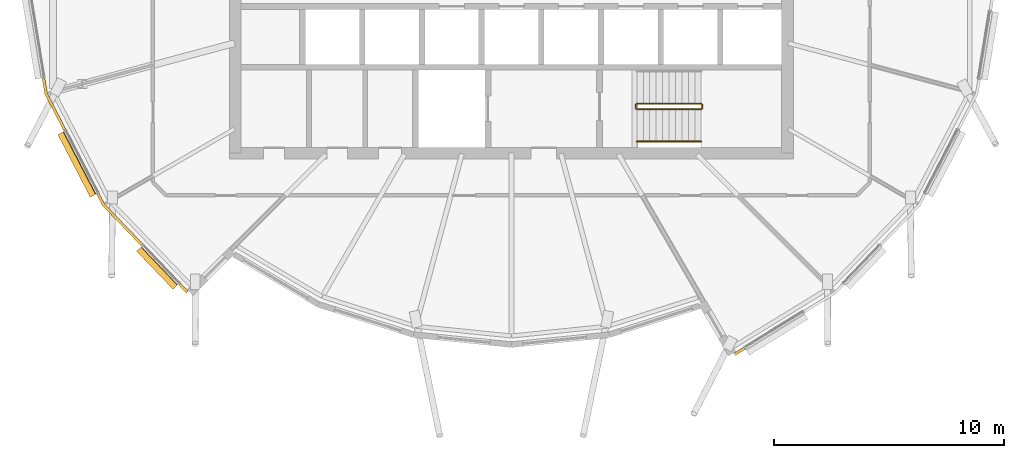
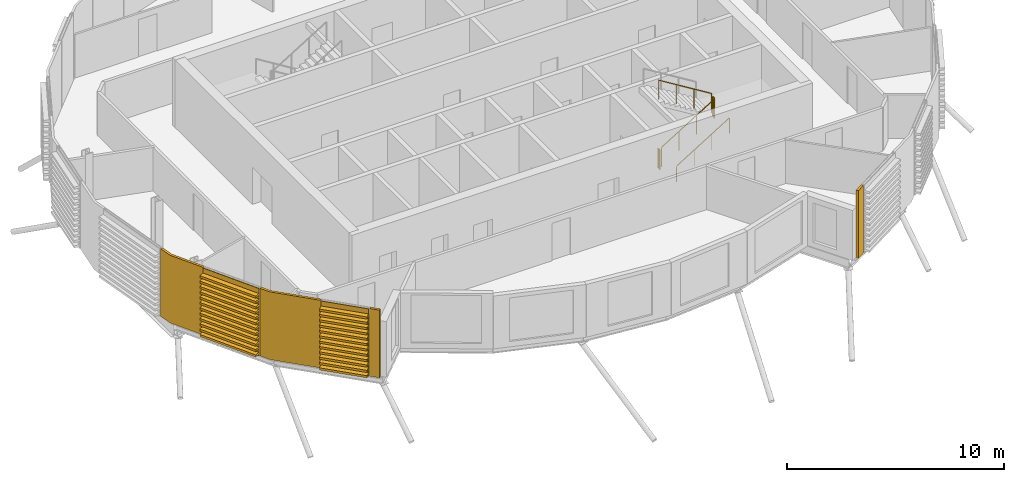
# One storey, part 33 of 38: 6 coverings, 5 railings.
"""IFC4 building model written with IfcOpenShell, lengths in metres."""

from ifc_helpers import new_model, si_unit, direction, frame, origin, origin_2d, place, context, subcontext, project, spatial, polyline, circle, outline, extrude, material, layer, layer_set, material_profile, profile_set, type_object, element, save


model = new_model("IFC4")

# Units and contexts
model_context = context("Model", 3, precision=1e-05, world=origin(), true_north=direction((0.0, 1.0)))
body_context = subcontext(model_context, "Body", "Model", "MODEL_VIEW")
ifc_project = project(units=[si_unit("LENGTHUNIT", "METRE"), si_unit("AREAUNIT", "SQUARE_METRE"), si_unit("VOLUMEUNIT", "CUBIC_METRE"), si_unit("PLANEANGLEUNIT", "RADIAN"), si_unit("MASSUNIT", "GRAM", prefix="KILO")], contexts=[model_context])

# Site, building, storey
site_placement = place(None, origin())
site = spatial("IfcSite", under=ifc_project, at=site_placement, CompositionType="ELEMENT")
building_placement = place(site_placement, origin())
building = spatial("IfcBuilding", under=site, at=building_placement, Name="Rimbun Link Towers", CompositionType="ELEMENT")
storey_placement = place(building_placement, frame((0.0, 0.0, 218.10009765625)))
storey = spatial("IfcBuildingStorey", under=building, at=storey_placement, Name="L53", CompositionType="ELEMENT", Elevation=218.10009765625)

# Coverings
ifc_material_1 = material(Name="Terracotta", Category="masonry")
ifc_layer = layer(ifc_material_1, 0.1201171875)
ifc_layer_set = layer_set([ifc_layer], Name="LINK PIER terracotta cladding 120")
covering_type_1 = type_object("IfcCoveringType", Name="LINK PIER terracotta cladding 120", PredefinedType="CLADDING", material=ifc_layer_set)
covering_1_placement = place(storey_placement, origin())
element("IfcCovering", 1, at=covering_1_placement, inside=storey, type_object=covering_type_1, Name="LINK PIER cladding", PredefinedType="CLADDING", context=body_context, shape_type="SweptSolid", body=[
    extrude(outline(polyline([(-51.10791015625, -6.976806640625), (-51.92138671875, -5.40478515625), (-52.030029296875, -4.743896484375), (-52.1484375, -4.76318359375), (-52.03662109375, -5.443115234375), (-51.214599609375, -7.031982421875), (-51.10791015625, -6.976806640625)])), origin(), (0.0, 0.0, 1.0), 3.7998046875),
])
covering_2_placement = place(storey_placement, origin())
element("IfcCovering", 2, at=covering_2_placement, inside=storey, type_object=covering_type_1, Name="LINK PIER cladding", PredefinedType="CLADDING", context=body_context, shape_type="SweptSolid", body=[
    extrude(outline(polyline([(-45.797119140625, -14.004638671875), (-46.13623046875, -13.651123046875), (-46.222900390625, -13.734130859375), (-45.8837890625, -14.087890625), (-45.797119140625, -14.004638671875)])), origin(), (0.0, 0.0, 1.0), 3.7998046875),
])
covering_3_placement = place(storey_placement, origin())
element("IfcCovering", 3, at=covering_3_placement, inside=storey, type_object=covering_type_1, Name="LINK PIER cladding", PredefinedType="CLADDING", context=body_context, shape_type="SweptSolid", body=[
    extrude(outline(polyline([(-47.760009765625, -11.957275390625), (-49.434814453125, -10.21044921875), (-49.673828125, -9.74853515625), (-49.780517578125, -9.8037109375), (-49.533447265625, -10.281005859375), (-47.8466796875, -12.040283203125), (-47.760009765625, -11.957275390625)])), origin(), (0.0, 0.0, 1.0), 3.7998046875),
])
covering_4_placement = place(storey_placement, origin())
element("IfcCovering", 4, at=covering_4_placement, inside=storey, type_object=covering_type_1, Name="LINK PIER cladding", PredefinedType="CLADDING", context=body_context, shape_type="SweptSolid", body=[
    extrude(outline(polyline([(-21.6572265625, -16.441650390625), (-22.07470703125, -16.697998046875), (-22.011962890625, -16.80029296875), (-21.594482421875, -16.5439453125), (-21.6572265625, -16.441650390625)])), origin(), (0.0, 0.0, 1.0), 3.7998046875),
])

# Railings
ifc_material_2 = material(Name="Stainless steel grade 316", Category="steel")
railing_type_1 = type_object("IfcRailingType", Name="Stair guard", PredefinedType="GUARDRAIL", material=ifc_material_2)
railing_1_placement = place(storey_placement, frame((-26.300048828125, -6.10009765625, 0.172607421875)))
element("IfcRailing", 5, at=railing_1_placement, inside=storey, type_object=railing_type_1, Name="L53 ST2 stair guard 1", PredefinedType="GUARDRAIL", context=body_context, shape_type="SweptSolid", body=[
    extrude(circle(Radius=0.02392578125, at=origin_2d()), frame((0.0, 0.0, 1.076171875), z_axis=(0.851089632645, 0.0, 0.525020415988), x_axis=(0.0, 1.0, 0.0)), (0.0, 0.0, 1.0), 3.2900390625),
    extrude(circle(Radius=0.02099609375, at=origin_2d()), origin(), (0.0, 0.0, 1.0), 1.052001953125),
    extrude(circle(Radius=0.02099609375, at=origin_2d()), frame((0.933349609375, 0.0, 0.57568359375)), (0.0, 0.0, 1.0), 1.052001953125),
    extrude(circle(Radius=0.02099609375, at=origin_2d()), frame((1.86669921875, 0.0, 1.151611328125)), (0.0, 0.0, 1.0), 1.052001953125),
    extrude(circle(Radius=0.02099609375, at=origin_2d()), frame((2.800048828125, 0.0, 1.727294921875)), (0.0, 0.0, 1.0), 1.052001953125),
])
railing_2_placement = place(storey_placement, frame((-23.449951171875, -6.050048828125, 1.89990234375)))
element("IfcRailing", 6, at=railing_2_placement, inside=storey, type_object=railing_type_1, Name="L53 ST2 stair guard 2", PredefinedType="GUARDRAIL", context=body_context, shape_type="SweptSolid", body=[
    extrude(circle(Radius=0.02392578125, at=origin_2d()), frame((0.0, 0.0, 1.076171875), z_axis=(0.0, 1.0, 0.0), x_axis=(-1.0, 0.0, 0.0)), (0.0, 0.0, 1.0), 0.150146484375),
    extrude(circle(Radius=0.02099609375, at=origin_2d()), origin(), (0.0, 0.0, 1.0), 1.052001953125),
    extrude(circle(Radius=0.02099609375, at=origin_2d()), frame((0.0, 0.150146484375, 0.0)), (0.0, 0.0, 1.0), 1.052001953125),
])
railing_3_placement = place(storey_placement, frame((-23.5, -5.85009765625, 2.072509765625)))
element("IfcRailing", 7, at=railing_3_placement, inside=storey, type_object=railing_type_1, Name="L53 ST2 stair guard 3", PredefinedType="GUARDRAIL", context=body_context, shape_type="SweptSolid", body=[
    extrude(circle(Radius=0.02392578125, at=origin_2d()), frame((0.0, 0.0, 1.076171875), z_axis=(-0.851089632645, 0.0, 0.525020415988), x_axis=(0.0, -1.0, 0.0)), (0.0, 0.0, 1.0), 3.2900390625),
    extrude(circle(Radius=0.02099609375, at=origin_2d()), origin(), (0.0, 0.0, 1.0), 1.052001953125),
    extrude(circle(Radius=0.02099609375, at=origin_2d()), frame((-0.933349609375, 0.0, 0.57568359375)), (0.0, 0.0, 1.0), 1.052001953125),
    extrude(circle(Radius=0.02099609375, at=origin_2d()), frame((-1.86669921875, 0.0, 1.151611328125)), (0.0, 0.0, 1.0), 1.052001953125),
    extrude(circle(Radius=0.02099609375, at=origin_2d()), frame((-2.800048828125, 0.0, 1.727294921875)), (0.0, 0.0, 1.0), 1.052001953125),
])
railing_4_placement = place(storey_placement, frame((-26.35009765625, -6.050048828125, 0.0)))
element("IfcRailing", 8, at=railing_4_placement, inside=storey, type_object=railing_type_1, Name="L53 ST2 stair guard 4", PredefinedType="GUARDRAIL", context=body_context, shape_type="SweptSolid", body=[
    extrude(circle(Radius=0.02392578125, at=origin_2d()), frame((0.0, 0.0, 1.076171875), z_axis=(0.0, 1.0, 0.0), x_axis=(-1.0, 0.0, 0.0)), (0.0, 0.0, 1.0), 0.150146484375),
    extrude(circle(Radius=0.02099609375, at=origin_2d()), origin(), (0.0, 0.0, 1.0), 1.052001953125),
    extrude(circle(Radius=0.02099609375, at=origin_2d()), frame((0.0, 0.150146484375, 0.0)), (0.0, 0.0, 1.0), 1.052001953125),
])
ifc_material_3 = material(Name="Stainless steel grade 316", Category="steel")
railing_type_2 = type_object("IfcRailingType", Name="Stair handrail", PredefinedType="HANDRAIL", material=ifc_material_3)
railing_5_placement = place(storey_placement, frame((-26.300048828125, -7.5, 0.172607421875)))
element("IfcRailing", 9, at=railing_5_placement, inside=storey, type_object=railing_type_2, Name="L53 ST2 stair handrail 1", PredefinedType="HANDRAIL", context=body_context, shape_type="SweptSolid", body=[
    extrude(circle(Radius=0.02392578125, at=origin_2d()), frame((0.0, 0.0, 0.8759765625), z_axis=(0.851089632645, 0.0, 0.525020415988), x_axis=(0.0, 1.0, 0.0)), (0.0, 0.0, 1.0), 3.2900390625),
    extrude(circle(Radius=0.02099609375, at=origin_2d()), origin(), (0.0, 0.0, 1.0), 0.851806640625),
    extrude(circle(Radius=0.02099609375, at=origin_2d()), frame((0.933349609375, 0.0, 0.57568359375)), (0.0, 0.0, 1.0), 0.851806640625),
    extrude(circle(Radius=0.02099609375, at=origin_2d()), frame((1.86669921875, 0.0, 1.151611328125)), (0.0, 0.0, 1.0), 0.851806640625),
    extrude(circle(Radius=0.02099609375, at=origin_2d()), frame((2.800048828125, 0.0, 1.727294921875)), (0.0, 0.0, 1.0), 0.851806640625),
])

# Coverings
ifc_material_4 = material(Name="Terracotta", Category="masonry")
ifc_material_profile = material_profile(ifc_material_4, outline(polyline([(0.123046875, 0.0), (0.1630859375, 0.0), (0.1630859375, 0.10009765625), (0.423095703125, 0.10009765625), (0.423095703125, 0.219970703125), (0.1630859375, 0.219970703125), (0.1630859375, 0.39990234375), (0.423095703125, 0.39990234375), (0.423095703125, 0.52001953125), (0.1630859375, 0.52001953125), (0.1630859375, 0.699951171875), (0.423095703125, 0.699951171875), (0.423095703125, 0.820068359375), (0.1630859375, 0.820068359375), (0.1630859375, 1.0), (0.423095703125, 1.0), (0.423095703125, 1.1201171875), (0.1630859375, 1.1201171875), (0.1630859375, 1.300048828125), (0.423095703125, 1.300048828125), (0.423095703125, 1.419921875), (0.1630859375, 1.419921875), (0.1630859375, 1.60009765625), (0.423095703125, 1.60009765625), (0.423095703125, 1.719970703125), (0.1630859375, 1.719970703125), (0.1630859375, 1.89990234375), (0.423095703125, 1.89990234375), (0.423095703125, 2.02001953125), (0.1630859375, 2.02001953125), (0.1630859375, 2.199951171875), (0.423095703125, 2.199951171875), (0.423095703125, 2.320068359375), (0.1630859375, 2.320068359375), (0.1630859375, 2.5), (0.423095703125, 2.5), (0.423095703125, 2.6201171875), (0.1630859375, 2.6201171875), (0.1630859375, 2.800048828125), (0.423095703125, 2.800048828125), (0.423095703125, 2.919921875), (0.1630859375, 2.919921875), (0.1630859375, 3.10009765625), (0.423095703125, 3.10009765625), (0.423095703125, 3.219970703125), (0.1630859375, 3.219970703125), (0.1630859375, 3.39990234375), (0.423095703125, 3.39990234375), (0.423095703125, 3.52001953125), (0.1630859375, 3.52001953125), (0.1630859375, 3.800048828125), (0.123046875, 3.800048828125), (0.123046875, 0.0)])), Name="BAGUETTE 120X300")
ifc_profile_set = profile_set([ifc_material_profile], Name="Terracotta")
covering_type_2 = type_object("IfcCoveringType", Name="TERRACOTTA BAGUETTE 120X300 H3800", PredefinedType="CLADDING", material=ifc_profile_set)
covering_5_placement = place(storey_placement, frame((-49.687744140625, -9.721923828125, 0.0), z_axis=(-0.459550949069, 0.888151408945, 0.0), x_axis=(-0.888151408945, -0.459550949069, 0.0)))
element("IfcCovering", 10, at=covering_5_placement, inside=storey, type_object=covering_type_2, Name="TERRACOTTA BAGUETTE", PredefinedType="CLADDING", context=body_context, shape_type="SweptSolid", body=[
    extrude(outline(polyline([(0.123046875, 0.0), (0.1630859375, 0.0), (0.1630859375, 0.10009765625), (0.423095703125, 0.10009765625), (0.423095703125, 0.219970703125), (0.1630859375, 0.219970703125), (0.1630859375, 0.39990234375), (0.423095703125, 0.39990234375), (0.423095703125, 0.52001953125), (0.1630859375, 0.52001953125), (0.1630859375, 0.699951171875), (0.423095703125, 0.699951171875), (0.423095703125, 0.820068359375), (0.1630859375, 0.820068359375), (0.1630859375, 1.0), (0.423095703125, 1.0), (0.423095703125, 1.1201171875), (0.1630859375, 1.1201171875), (0.1630859375, 1.300048828125), (0.423095703125, 1.300048828125), (0.423095703125, 1.419921875), (0.1630859375, 1.419921875), (0.1630859375, 1.60009765625), (0.423095703125, 1.60009765625), (0.423095703125, 1.719970703125), (0.1630859375, 1.719970703125), (0.1630859375, 1.89990234375), (0.423095703125, 1.89990234375), (0.423095703125, 2.02001953125), (0.1630859375, 2.02001953125), (0.1630859375, 2.199951171875), (0.423095703125, 2.199951171875), (0.423095703125, 2.320068359375), (0.1630859375, 2.320068359375), (0.1630859375, 2.5), (0.423095703125, 2.5), (0.423095703125, 2.6201171875), (0.1630859375, 2.6201171875), (0.1630859375, 2.800048828125), (0.423095703125, 2.800048828125), (0.423095703125, 2.919921875), (0.1630859375, 2.919921875), (0.1630859375, 3.10009765625), (0.423095703125, 3.10009765625), (0.423095703125, 3.219970703125), (0.1630859375, 3.219970703125), (0.1630859375, 3.39990234375), (0.423095703125, 3.39990234375), (0.423095703125, 3.52001953125), (0.1630859375, 3.52001953125), (0.1630859375, 3.800048828125), (0.123046875, 3.800048828125), (0.123046875, 0.0)])), origin(), (0.0, 0.0, 1.0), 3.060546875),
])
covering_6_placement = place(storey_placement, frame((-46.156982421875, -13.62939453125, 0.0), z_axis=(-0.692053780348, 0.721845942779, 0.0), x_axis=(-0.721845942779, -0.692053780348, 0.0)))
element("IfcCovering", 11, at=covering_6_placement, inside=storey, type_object=covering_type_2, Name="TERRACOTTA BAGUETTE", PredefinedType="CLADDING", context=body_context, shape_type="SweptSolid", body=[
    extrude(outline(polyline([(0.123046875, 0.0), (0.1630859375, 0.0), (0.1630859375, 0.10009765625), (0.423095703125, 0.10009765625), (0.423095703125, 0.219970703125), (0.1630859375, 0.219970703125), (0.1630859375, 0.39990234375), (0.423095703125, 0.39990234375), (0.423095703125, 0.52001953125), (0.1630859375, 0.52001953125), (0.1630859375, 0.699951171875), (0.423095703125, 0.699951171875), (0.423095703125, 0.820068359375), (0.1630859375, 0.820068359375), (0.1630859375, 1.0), (0.423095703125, 1.0), (0.423095703125, 1.1201171875), (0.1630859375, 1.1201171875), (0.1630859375, 1.300048828125), (0.423095703125, 1.300048828125), (0.423095703125, 1.419921875), (0.1630859375, 1.419921875), (0.1630859375, 1.60009765625), (0.423095703125, 1.60009765625), (0.423095703125, 1.719970703125), (0.1630859375, 1.719970703125), (0.1630859375, 1.89990234375), (0.423095703125, 1.89990234375), (0.423095703125, 2.02001953125), (0.1630859375, 2.02001953125), (0.1630859375, 2.199951171875), (0.423095703125, 2.199951171875), (0.423095703125, 2.320068359375), (0.1630859375, 2.320068359375), (0.1630859375, 2.5), (0.423095703125, 2.5), (0.423095703125, 2.6201171875), (0.1630859375, 2.6201171875), (0.1630859375, 2.800048828125), (0.423095703125, 2.800048828125), (0.423095703125, 2.919921875), (0.1630859375, 2.919921875), (0.1630859375, 3.10009765625), (0.423095703125, 3.10009765625), (0.423095703125, 3.219970703125), (0.1630859375, 3.219970703125), (0.1630859375, 3.39990234375), (0.423095703125, 3.39990234375), (0.423095703125, 3.52001953125), (0.1630859375, 3.52001953125), (0.1630859375, 3.800048828125), (0.123046875, 3.800048828125), (0.123046875, 0.0)])), origin(), (0.0, 0.0, 1.0), 2.286376953125),
])

save(model, "model.ifc")
